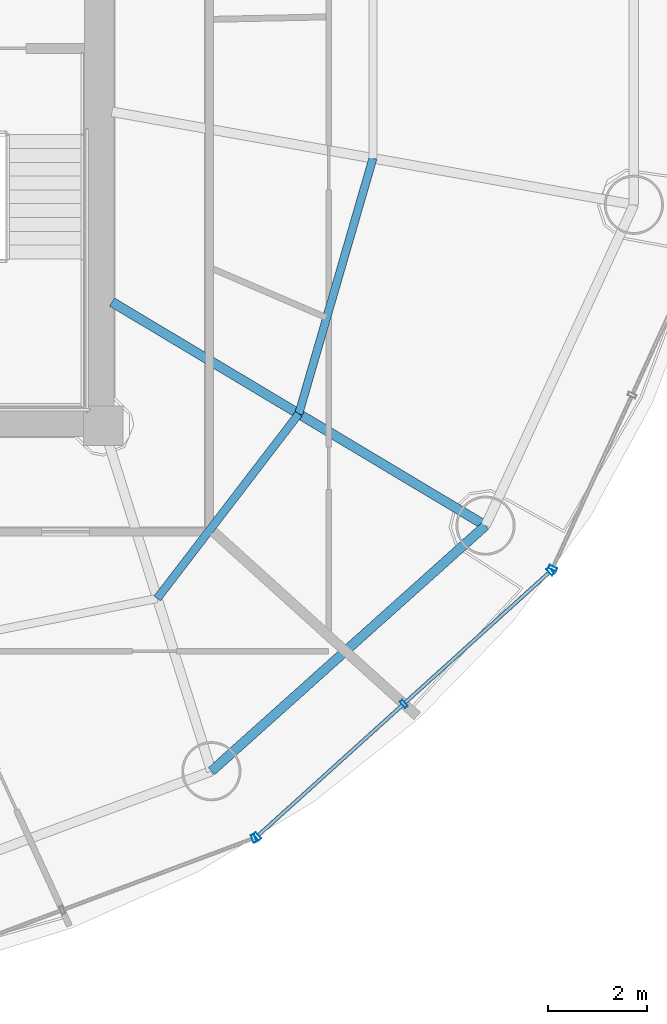
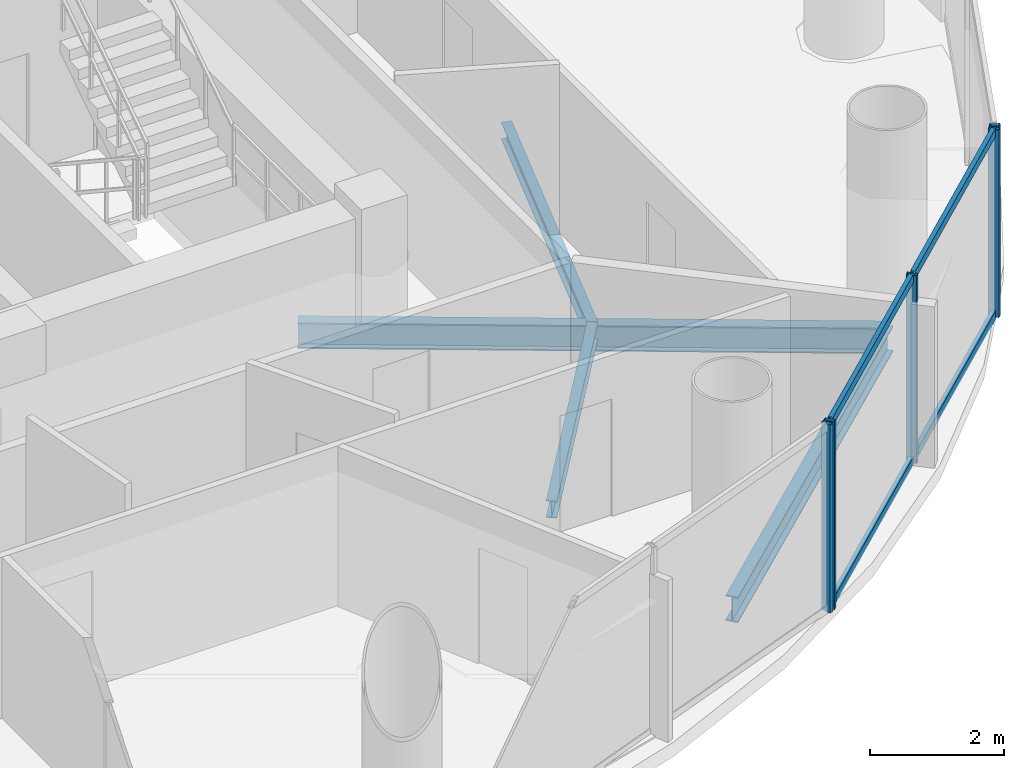
# One storey, part 10 of 26: 9 members, 4 beams, 3 elements without a shape of their own.
"""IFC4 building model written with IfcOpenShell, lengths in metres."""

from ifc_helpers import new_model, si_unit, direction, frame, origin, origin_2d, place, context, subcontext, project, spatial, hollow_rectangle, i_section, extrude, source, transform, mapped, material, material_profile, profile_set, type_object, element, aggregate, save


model = new_model("IFC4")

# Units and contexts
model_context = context("Model", 3, precision=1e-05, world=origin(), true_north=direction((-0.2419218956, 0.970295726276)))
body_context = subcontext(model_context, "Body", "Model", "MODEL_VIEW")
ifc_project = project(units=[si_unit("LENGTHUNIT", "METRE"), si_unit("AREAUNIT", "SQUARE_METRE"), si_unit("VOLUMEUNIT", "CUBIC_METRE"), si_unit("PLANEANGLEUNIT", "RADIAN"), si_unit("MASSUNIT", "GRAM", prefix="KILO")], contexts=[model_context])

# Site, building, storey
site_placement = place(None, origin())
site = spatial("IfcSite", under=ifc_project, at=site_placement, CompositionType="ELEMENT")
building_placement = place(site_placement, origin())
building = spatial("IfcBuilding", under=site, at=building_placement, Name="Cobrevalo Terracotta Tower", CompositionType="ELEMENT")
storey_placement = place(building_placement, frame((0.0, 0.0, 206.0)))
storey = spatial("IfcBuildingStorey", under=building, at=storey_placement, Name="L54", CompositionType="ELEMENT", Elevation=206.0)

# Beams
ifc_material_1 = material(Name="Steel S355", Category="steel")
ifc_material_profile_1 = material_profile(ifc_material_1, i_section(OverallWidth=0.194091796875, OverallDepth=0.468994140625, WebThickness=0.011474609375, FlangeThickness=0.0205078125, at=origin_2d()), Name="W 460x106")
ifc_profile_set_1 = profile_set([ifc_material_profile_1], Name="Steel S355")
beam_type_1 = type_object("IfcBeamType", Name="Structural Beam W 460x106 (Steel S355)", PredefinedType="BEAM", material=ifc_profile_set_1)
beam_1_placement = place(storey_placement, frame((54.754150390625, 16.77197265625, -0.49951171875), z_axis=(-0.858046392192, 0.513572184651, 0.0), x_axis=(-0.513572184651, -0.858046392192, 0.0)))
element("IfcBeam", 1, at=beam_1_placement, inside=storey, type_object=beam_type_1, Name="L54 radial floor girder 15", PredefinedType="BEAM", context=body_context, shape_type="SweptSolid", body=[
    extrude(i_section(OverallWidth=0.194091796875, OverallDepth=0.468994140625, WebThickness=0.011474609375, FlangeThickness=0.0205078125, at=origin_2d()), origin(), (0.0, 0.0, 1.0), 8.827392578125),
])
ifc_material_profile_2 = material_profile(ifc_material_1, i_section(OverallWidth=0.1650390625, OverallDepth=0.31005859375, WebThickness=0.005859375, FlangeThickness=0.009765625, at=origin_2d()), Name="W 310x38.7")
ifc_profile_set_2 = profile_set([ifc_material_profile_2], Name="Steel S355")
beam_type_2 = type_object("IfcBeamType", Name="Structural Joist W 310x38.7 (Steel S355)", PredefinedType="JOIST", material=ifc_profile_set_2)
beam_2_placement = place(storey_placement, frame((48.097412109375, 15.2958984375, -0.419921875), z_axis=(0.608464146296, 0.793581364872, 0.0), x_axis=(-0.793581364872, 0.608464146296, 0.0)))
element("IfcBeam", 2, at=beam_2_placement, inside=storey, type_object=beam_type_2, Name="L54 circumferential secondary floor joist 14", PredefinedType="JOIST", context=body_context, shape_type="SweptSolid", body=[
    extrude(i_section(OverallWidth=0.1650390625, OverallDepth=0.31005859375, WebThickness=0.005859375, FlangeThickness=0.009765625, at=origin_2d()), origin(), (0.0, 0.0, 1.0), 4.716064453125),
])
beam_3_placement = place(storey_placement, frame((50.967041015625, 19.03857421875, -0.419921875), z_axis=(0.278757705995, 0.960361463902, 0.0), x_axis=(-0.960361463902, 0.278757705995, 0.0)))
element("IfcBeam", 3, at=beam_3_placement, inside=storey, type_object=beam_type_2, Name="L54 circumferential secondary floor joist 15", PredefinedType="JOIST", context=body_context, shape_type="SweptSolid", body=[
    extrude(i_section(OverallWidth=0.1650390625, OverallDepth=0.31005859375, WebThickness=0.005859375, FlangeThickness=0.009765625, at=origin_2d()), origin(), (0.0, 0.0, 1.0), 5.396728515625),
])
ifc_material_profile_3 = material_profile(ifc_material_1, i_section(OverallWidth=0.194091796875, OverallDepth=0.468994140625, WebThickness=0.011474609375, FlangeThickness=0.0205078125, at=origin_2d()), Name="W 460x106")
ifc_profile_set_3 = profile_set([ifc_material_profile_3], Name="Steel S355")
beam_type_3 = type_object("IfcBeamType", Name="Structural Spandrel W 460x106 (Steel S355)", PredefinedType="SPANDREL", material=ifc_profile_set_3)
beam_4_placement = place(storey_placement, frame((49.19482421875, 11.7919921875, -0.49951171875), z_axis=(0.744851930997, 0.667229796165, 0.0), x_axis=(-0.667229796165, 0.744851930997, 0.0)))
element("IfcBeam", 4, at=beam_4_placement, inside=storey, type_object=beam_type_3, Name="L54 perimeter ring spandrel 14", PredefinedType="SPANDREL", context=body_context, shape_type="SweptSolid", body=[
    extrude(i_section(OverallWidth=0.194091796875, OverallDepth=0.468994140625, WebThickness=0.011474609375, FlangeThickness=0.0205078125, at=origin_2d()), origin(), (0.0, 0.0, 1.0), 7.463623046875),
])

# Curtain wall, members
ifc_material_2 = material(Name="Anodized aluminium", Category="aluminium")
curtain_wall_type = type_object("IfcCurtainWallType", Name="Mid-tower high-wind unitised curtain wall CW-U2", PredefinedType="NOTDEFINED", material=ifc_material_2)
curtain_wall_1_placement = place(storey_placement, origin())
curtain_wall_1 = element("IfcCurtainWall", 5, at=curtain_wall_1_placement, inside=storey, type_object=curtain_wall_type, Name="L54 curtain wall CW-L54-S14", PredefinedType="NOTDEFINED")
ifc_material_profile_4 = material_profile(ifc_material_2, hollow_rectangle(XDim=0.074951171875, YDim=0.14990234375, WallThickness=0.00439453125, at=origin_2d()), Name="CWT 75x150")
ifc_profile_set_4 = profile_set([ifc_material_profile_4], Name="Anodized aluminium")
member_type_1 = type_object("IfcMemberType", Name="Tower unitised aluminium transom 75x150", PredefinedType="USERDEFINED", material=ifc_profile_set_4)
shared_shape_1 = source(origin(), body_context, "Body", "SweptSolid", [
    extrude(hollow_rectangle(XDim=0.074951171875, YDim=0.14990234375, WallThickness=0.00439453125, at=origin_2d()), origin(), (0.0, 0.0, 1.0), 3.927490234375),
])
member_1_placement = place(storey_placement, frame((53.127685546875, 13.185302734375, 0.050048828125), z_axis=(0.741975952623, 0.670426495396, 0.0), x_axis=(-0.670426495396, 0.741975952623, 0.0)))
member_1 = element("IfcMember", 6, at=member_1_placement, type_object=member_type_1, Name="CW-L54-S14 transom B02-T1", ObjectType="TRANSOM", PredefinedType="USERDEFINED", context=body_context, shape_type="MappedRepresentation", body=[
    mapped(shared_shape_1, transform((0.0, 0.0, 0.0), scale=1.0)),
])
member_2_placement = place(storey_placement, frame((53.127685546875, 13.185302734375, 3.385009765625), z_axis=(0.741975952623, 0.670426495396, 0.0), x_axis=(-0.670426495396, 0.741975952623, 0.0)))
member_2 = element("IfcMember", 7, at=member_2_placement, type_object=member_type_1, Name="CW-L54-S14 transom B02-T2", ObjectType="TRANSOM", PredefinedType="USERDEFINED", context=body_context, shape_type="MappedRepresentation", body=[
    mapped(shared_shape_1, transform((0.0, 0.0, 0.0), scale=1.0)),
])
shared_shape_2 = source(origin(), body_context, "Body", "SweptSolid", [
    extrude(hollow_rectangle(XDim=0.074951171875, YDim=0.14990234375, WallThickness=0.00439453125, at=origin_2d()), origin(), (0.0, 0.0, 1.0), 3.927734375),
])
member_3_placement = place(storey_placement, frame((50.154052734375, 10.49853515625, 0.050048828125), z_axis=(0.742003891138, 0.670395573923, 0.0), x_axis=(-0.670395573923, 0.742003891138, 0.0)))
member_3 = element("IfcMember", 8, at=member_3_placement, type_object=member_type_1, Name="CW-L54-S14 transom B01-T1", ObjectType="TRANSOM", PredefinedType="USERDEFINED", context=body_context, shape_type="MappedRepresentation", body=[
    mapped(shared_shape_2, transform((0.0, 0.0, 0.0), scale=1.0)),
])
member_4_placement = place(storey_placement, frame((50.154052734375, 10.49853515625, 3.385009765625), z_axis=(0.742003891138, 0.670395573923, 0.0), x_axis=(-0.670395573923, 0.742003891138, 0.0)))
member_4 = element("IfcMember", 9, at=member_4_placement, type_object=member_type_1, Name="CW-L54-S14 transom B01-T2", ObjectType="TRANSOM", PredefinedType="USERDEFINED", context=body_context, shape_type="MappedRepresentation", body=[
    mapped(shared_shape_2, transform((0.0, 0.0, 0.0), scale=1.0)),
])

# Curtain wall, member
curtain_wall_2_placement = place(storey_placement, origin())
curtain_wall_2 = element("IfcCurtainWall", 10, at=curtain_wall_2_placement, inside=storey, type_object=curtain_wall_type, Name="L54 curtain wall CW-L54-S13", PredefinedType="NOTDEFINED")
ifc_material_profile_5 = material_profile(ifc_material_2, hollow_rectangle(XDim=0.070068359375, YDim=0.169921875, WallThickness=0.00439453125, at=origin_2d()), Name="CWM 70x170")
ifc_profile_set_5 = profile_set([ifc_material_profile_5], Name="Anodized aluminium")
member_type_2 = type_object("IfcMemberType", Name="Upper tower unitised mullion 70x170", PredefinedType="MULLION", material=ifc_profile_set_5)
shared_shape_3 = source(origin(), body_context, "Body", "SweptSolid", [
    extrude(hollow_rectangle(XDim=0.070068359375, YDim=0.169921875, WallThickness=0.00439453125, at=origin_2d()), origin(), (0.0, 0.0, 1.0), 3.43505859375),
])
member_5_placement = place(storey_placement, frame((50.057373046875, 10.430908203125, 0.0), z_axis=(0.0, 0.0, 1.0), x_axis=(0.936556004584, 0.350517974259, 0.0)))
member_5 = element("IfcMember", 11, at=member_5_placement, type_object=member_type_2, Name="CW-L54-S13 vertical mullion 03", PredefinedType="MULLION", context=body_context, shape_type="MappedRepresentation", body=[
    mapped(shared_shape_3, transform((0.0, 0.0, 0.0), scale=1.0)),
])
aggregate(curtain_wall_2, [member_5])

# Member
member_6_placement = place(storey_placement, frame((50.12451171875, 10.471923828125, 0.0), z_axis=(0.0, 0.0, 1.0), x_axis=(0.741987542015, 0.670413668935, 0.0)))
member_6 = element("IfcMember", 12, at=member_6_placement, type_object=member_type_2, Name="CW-L54-S14 vertical mullion 01", PredefinedType="MULLION", context=body_context, shape_type="MappedRepresentation", body=[
    mapped(shared_shape_3, transform((0.0, 0.0, 0.0), scale=1.0)),
])

member_7_placement = place(storey_placement, frame((53.097900390625, 13.158447265625, 0.0), z_axis=(0.0, 0.0, 1.0), x_axis=(0.741987542015, 0.670413668935, 0.0)))
member_7 = element("IfcMember", 13, at=member_7_placement, type_object=member_type_2, Name="CW-L54-S14 vertical mullion 02", PredefinedType="MULLION", context=body_context, shape_type="MappedRepresentation", body=[
    mapped(shared_shape_3, transform((0.0, 0.0, 0.0), scale=1.0)),
])

member_8_placement = place(storey_placement, frame((56.071533203125, 15.84521484375, 0.0), z_axis=(0.0, 0.0, 1.0), x_axis=(0.741987542015, 0.670413668935, 0.0)))
member_8 = element("IfcMember", 14, at=member_8_placement, type_object=member_type_2, Name="CW-L54-S14 vertical mullion 03", PredefinedType="MULLION", context=body_context, shape_type="MappedRepresentation", body=[
    mapped(shared_shape_3, transform((0.0, 0.0, 0.0), scale=1.0)),
])

aggregate(curtain_wall_1, [member_6, member_7, member_8, member_3, member_4, member_1, member_2])

# Curtain wall, member
curtain_wall_3_placement = place(storey_placement, origin())
curtain_wall_3 = element("IfcCurtainWall", 15, at=curtain_wall_3_placement, inside=storey, type_object=curtain_wall_type, Name="L54 curtain wall CW-L54-S15", PredefinedType="NOTDEFINED")
member_9_placement = place(storey_placement, frame((56.11767578125, 15.908203125, 0.0), z_axis=(0.0, 0.0, 1.0), x_axis=(0.41672507912, 0.909032567311, 0.0)))
member_9 = element("IfcMember", 16, at=member_9_placement, type_object=member_type_2, Name="CW-L54-S15 vertical mullion 01", PredefinedType="MULLION", context=body_context, shape_type="MappedRepresentation", body=[
    mapped(shared_shape_3, transform((0.0, 0.0, 0.0), scale=1.0)),
])
aggregate(curtain_wall_3, [member_9])

save(model, "model.ifc")
